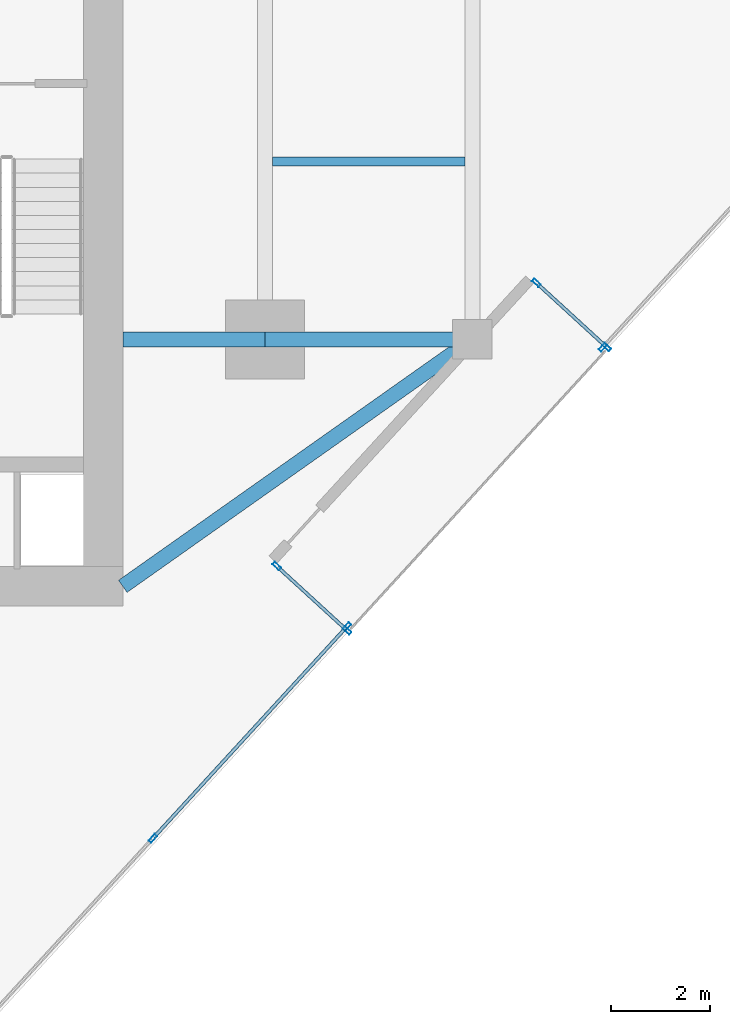
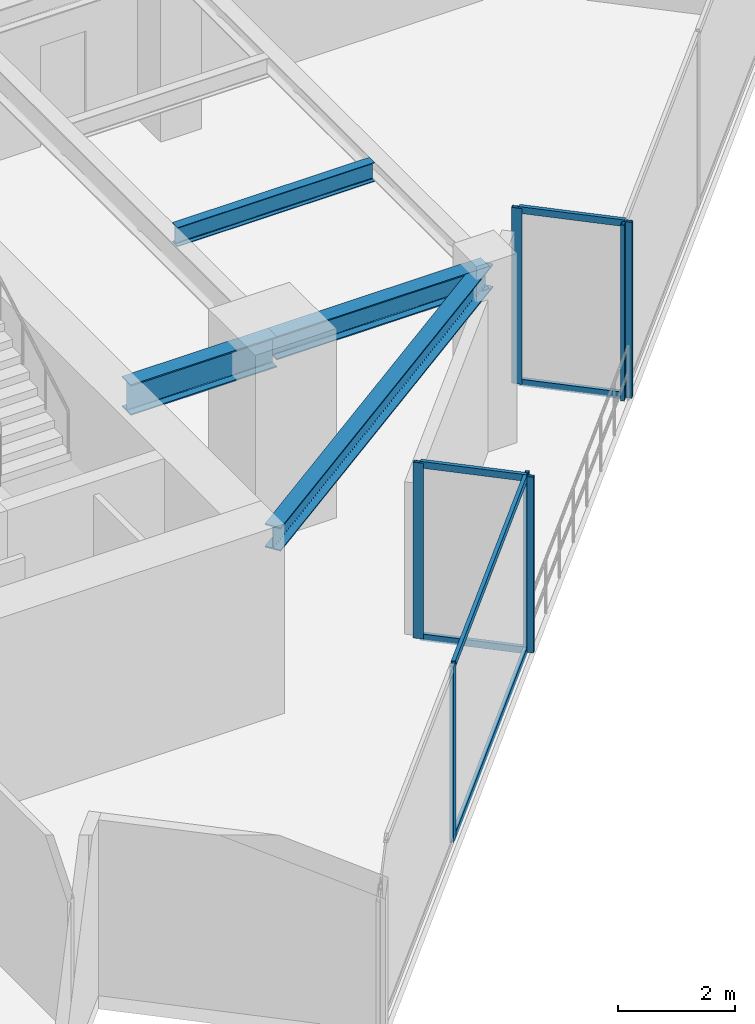
# One storey, part 10 of 26: 13 members, 4 beams, 4 elements without a shape of their own.
"""IFC4 building model written with IfcOpenShell, lengths in metres."""

from ifc_helpers import new_model, si_unit, direction, frame, origin, origin_2d, place, context, subcontext, project, spatial, hollow_rectangle, i_section, extrude, source, transform, mapped, material, material_profile, profile_set, type_object, type_shapes, element, aggregate, save


model = new_model("IFC4")

# Units and contexts
model_context = context("Model", 3, precision=1e-05, world=origin(), true_north=direction((0.0, 1.0)))
body_context = subcontext(model_context, "Body", "Model", "MODEL_VIEW")
ifc_project = project(units=[si_unit("LENGTHUNIT", "METRE"), si_unit("AREAUNIT", "SQUARE_METRE"), si_unit("VOLUMEUNIT", "CUBIC_METRE"), si_unit("PLANEANGLEUNIT", "RADIAN"), si_unit("MASSUNIT", "GRAM", prefix="KILO")], contexts=[model_context])

# Site, building, storey
site_placement = place(None, origin())
site = spatial("IfcSite", under=ifc_project, at=site_placement, CompositionType="ELEMENT")
building_placement = place(site_placement, origin())
building = spatial("IfcBuilding", under=site, at=building_placement, Name="Krantzveldt Concourse Tower", CompositionType="ELEMENT")
storey_placement = place(building_placement, frame((0.0, 0.0, 219.14990234375)))
storey = spatial("IfcBuildingStorey", under=building, at=storey_placement, Name="L53", CompositionType="ELEMENT", Elevation=219.14990234375)

# Beams
ifc_material_1 = material(Name="Steel S355JR", Category="steel")
ifc_material_profile_1 = material_profile(ifc_material_1, i_section(OverallWidth=0.300048828125, OverallDepth=0.639892578125, WebThickness=0.013427734375, FlangeThickness=0.02587890625, FilletRadius=0.027099609375, at=origin_2d()), Name="Steel S355JR", Category="steel")
ifc_profile_set_1 = profile_set([ifc_material_profile_1], Name="Steel S355JR - HEA 650")
beam_type_1 = type_object("IfcBeamType", Name="BM-B-HEA650", PredefinedType="BEAM", material=ifc_profile_set_1)
shared_shape_1 = source(origin(), body_context, "Body", "SweptSolid", [
    extrude(i_section(OverallWidth=0.300048828125, OverallDepth=0.639892578125, WebThickness=0.013427734375, FlangeThickness=0.02587890625, FilletRadius=0.027099609375, at=origin_2d()), origin(), (0.0, 0.0, 1.0), 2.880126953125),
])
type_shapes(beam_type_1, [shared_shape_1])
beam_1_placement = place(storey_placement, frame((43.919921875, 15.89990234375, 3.35009765625), z_axis=(1.0, 0.0, 0.0), x_axis=(0.0, 1.0, 0.0)))
element("IfcBeam", 1, at=beam_1_placement, inside=storey, type_object=beam_type_1, Name="L53 Tower Girder BG-CE1", PredefinedType="BEAM", context=body_context, shape_type="MappedRepresentation", body=[
    mapped(shared_shape_1, transform((0.0, 0.0, 0.0), x_axis=(1.0, 0.0, 0.0), y_axis=(0.0, 1.0, 0.0), z_axis=(0.0, 0.0, 1.0), scale=1.0)),
])
ifc_material_profile_2 = material_profile(ifc_material_1, i_section(OverallWidth=0.300048828125, OverallDepth=0.489990234375, WebThickness=0.011962890625, FlangeThickness=0.02294921875, FilletRadius=0.027099609375, at=origin_2d()), Name="Steel S355JR", Category="steel")
ifc_profile_set_2 = profile_set([ifc_material_profile_2], Name="Steel S355JR - HEA 500")
beam_type_2 = type_object("IfcBeamType", Name="BM-B-HEA500", PredefinedType="BEAM", material=ifc_profile_set_2)
shared_shape_2 = source(origin(), body_context, "Body", "SweptSolid", [
    extrude(i_section(OverallWidth=0.300048828125, OverallDepth=0.489990234375, WebThickness=0.011962890625, FlangeThickness=0.02294921875, FilletRadius=0.027099609375, at=origin_2d()), origin(), (0.0, 0.0, 1.0), 4.199951171875),
])
beam_2_placement = place(storey_placement, frame((46.800048828125, 15.89990234375, 3.425048828125), z_axis=(1.0, 0.0, 0.0), x_axis=(0.0, 1.0, 0.0)))
element("IfcBeam", 2, at=beam_2_placement, inside=storey, type_object=beam_type_2, Name="L53 Tower Girder BR-RR1", PredefinedType="BEAM", context=body_context, shape_type="MappedRepresentation", body=[
    mapped(shared_shape_2, transform((0.0, 0.0, 0.0), x_axis=(1.0, 0.0, 0.0), y_axis=(0.0, 1.0, 0.0), z_axis=(0.0, 0.0, 1.0), scale=1.0)),
])
shared_shape_3 = source(origin(), body_context, "Body", "SweptSolid", [
    extrude(i_section(OverallWidth=0.300048828125, OverallDepth=0.489990234375, WebThickness=0.011962890625, FlangeThickness=0.02294921875, FilletRadius=0.027099609375, at=origin_2d()), origin(), (0.0, 0.0, 1.0), 8.667724609375),
])
type_shapes(beam_type_2, [shared_shape_2, shared_shape_3])
beam_3_placement = place(storey_placement, frame((51.0, 15.89990234375, 3.425048828125), z_axis=(-0.81684294656, -0.576860122261, 0.0), x_axis=(0.576860122261, -0.81684294656, 0.0)))
element("IfcBeam", 3, at=beam_3_placement, inside=storey, type_object=beam_type_2, Name="L53 Tower Girder BR-CSE", PredefinedType="BEAM", context=body_context, shape_type="MappedRepresentation", body=[
    mapped(shared_shape_3, transform((0.0, 0.0, 0.0), x_axis=(1.0, 0.0, 0.0), y_axis=(0.0, 1.0, 0.0), z_axis=(0.0, 0.0, 1.0), scale=1.0)),
])
ifc_material_profile_3 = material_profile(ifc_material_1, i_section(OverallWidth=0.179931640625, OverallDepth=0.39990234375, WebThickness=0.008544921875, FlangeThickness=0.013427734375, FilletRadius=0.02099609375, at=origin_2d()), Name="Steel S355JR", Category="steel")
ifc_profile_set_3 = profile_set([ifc_material_profile_3], Name="Steel S355JR - IPE 400")
beam_type_3 = type_object("IfcBeamType", Name="BM-J-IPE400", PredefinedType="JOIST", material=ifc_profile_set_3)
shared_shape_4 = source(origin(), body_context, "Body", "SweptSolid", [
    extrude(i_section(OverallWidth=0.179931640625, OverallDepth=0.39990234375, WebThickness=0.008544921875, FlangeThickness=0.013427734375, FilletRadius=0.02099609375, at=origin_2d()), origin(), (0.0, 0.0, 1.0), 3.900146484375),
])
type_shapes(beam_type_3, [shared_shape_4])
beam_4_placement = place(storey_placement, frame((46.949951171875, 19.5, 3.47021484375), z_axis=(1.0, 0.0, 0.0), x_axis=(0.0, 1.0, 0.0)))
element("IfcBeam", 4, at=beam_4_placement, inside=storey, type_object=beam_type_3, Name="L53 Secondary Floor Joist JE-1", PredefinedType="JOIST", context=body_context, shape_type="MappedRepresentation", body=[
    mapped(shared_shape_4, transform((0.0, 0.0, 0.0), x_axis=(1.0, 0.0, 0.0), y_axis=(0.0, 1.0, 0.0), z_axis=(0.0, 0.0, 1.0), scale=1.0)),
])

# Curtain wall, members
ifc_material_2 = material(Name="Anodised aluminium 6063-T6", Category="aluminium")
curtain_wall_type_1 = type_object("IfcCurtainWallType", Name="CW3", PredefinedType="USERDEFINED", material=ifc_material_2)
curtain_wall_1_placement = place(storey_placement, origin())
curtain_wall_1 = element("IfcCurtainWall", 5, at=curtain_wall_1_placement, inside=storey, type_object=curtain_wall_type_1, Name="CW-L53-F07", ObjectType="UNITISED CURTAIN WALL", PredefinedType="USERDEFINED")
ifc_material_profile_4 = material_profile(ifc_material_2, hollow_rectangle(XDim=0.070068359375, YDim=0.179931640625, WallThickness=0.0048828125, at=origin_2d()), Name="Anodised aluminium 6063-T6", Category="aluminium")
ifc_profile_set_4 = profile_set([ifc_material_profile_4], Name="Anodised aluminium 6063-T6 - ALU-MULL 180x70x5")
member_type_1 = type_object("IfcMemberType", Name="CW-MUL-180", PredefinedType="MULLION", material=ifc_profile_set_4)
shared_shape_5 = source(origin(), body_context, "Body", "SweptSolid", [
    extrude(hollow_rectangle(XDim=0.070068359375, YDim=0.179931640625, WallThickness=0.0048828125, at=origin_2d()), origin(), (0.0, 0.0, 1.0), 3.670166015625),
])
type_shapes(member_type_1, [shared_shape_5])
member_1_placement = place(storey_placement, frame((44.5283203125, 5.79638671875, 0.0), z_axis=(0.0, 0.0, 1.0), x_axis=(-0.737277769208, 0.675589735736, 0.0)))
member_1 = element("IfcMember", 6, at=member_1_placement, type_object=member_type_1, Name="CW-Z34 mullion 2", PredefinedType="MULLION", context=body_context, shape_type="MappedRepresentation", body=[
    mapped(shared_shape_5, transform((0.0, 0.0, 0.0), x_axis=(1.0, 0.0, 0.0), y_axis=(0.0, 1.0, 0.0), z_axis=(0.0, 0.0, 1.0), scale=1.0)),
])
member_2_placement = place(storey_placement, frame((48.45703125, 10.083740234375, 0.0), z_axis=(0.0, 0.0, 1.0), x_axis=(-0.737277769208, 0.675589735736, 0.0)))
member_2 = element("IfcMember", 7, at=member_2_placement, type_object=member_type_1, Name="CW-Z34 mullion 3", PredefinedType="MULLION", context=body_context, shape_type="MappedRepresentation", body=[
    mapped(shared_shape_5, transform((0.0, 0.0, 0.0), x_axis=(1.0, 0.0, 0.0), y_axis=(0.0, 1.0, 0.0), z_axis=(0.0, 0.0, 1.0), scale=1.0)),
])

curtain_wall_type_2 = type_object("IfcCurtainWallType", Name="CW6", PredefinedType="USERDEFINED", material=ifc_material_2)
curtain_wall_2_placement = place(storey_placement, origin())
curtain_wall_2 = element("IfcCurtainWall", 8, at=curtain_wall_2_placement, inside=storey, type_object=curtain_wall_type_2, Name="CW-L53-TR08", ObjectType="UNITISED CURTAIN WALL", PredefinedType="USERDEFINED")
member_3_placement = place(storey_placement, frame((48.46044921875, 10.006103515625, 0.0), z_axis=(0.0, 0.0, 1.0), x_axis=(-0.675591258718, -0.737276373651, 0.0)))
member_3 = element("IfcMember", 9, at=member_3_placement, type_object=member_type_1, Name="CW-TERR mullion 1", PredefinedType="MULLION", context=body_context, shape_type="MappedRepresentation", body=[
    mapped(shared_shape_5, transform((0.0, 0.0, 0.0), x_axis=(1.0, 0.0, 0.0), y_axis=(0.0, 1.0, 0.0), z_axis=(0.0, 0.0, 1.0), scale=1.0)),
])
member_4_placement = place(storey_placement, frame((47.037353515625, 11.309814453125, 0.0), z_axis=(0.0, 0.0, 1.0), x_axis=(-0.675591258718, -0.737276373651, 0.0)))
member_4 = element("IfcMember", 10, at=member_4_placement, type_object=member_type_1, Name="CW-TERR mullion 2", PredefinedType="MULLION", context=body_context, shape_type="MappedRepresentation", body=[
    mapped(shared_shape_5, transform((0.0, 0.0, 0.0), x_axis=(1.0, 0.0, 0.0), y_axis=(0.0, 1.0, 0.0), z_axis=(0.0, 0.0, 1.0), scale=1.0)),
])

curtain_wall_3_placement = place(storey_placement, origin())
curtain_wall_3 = element("IfcCurtainWall", 11, at=curtain_wall_3_placement, inside=storey, type_object=curtain_wall_type_2, Name="CW-L53-TR10", ObjectType="UNITISED CURTAIN WALL", PredefinedType="USERDEFINED")
member_5_placement = place(storey_placement, frame((52.29345703125, 17.0458984375, 0.0), z_axis=(0.0, 0.0, 1.0), x_axis=(0.675591486119, 0.737276165275, 0.0)))
member_5 = element("IfcMember", 12, at=member_5_placement, type_object=member_type_1, Name="CW-TERR mullion 1", PredefinedType="MULLION", context=body_context, shape_type="MappedRepresentation", body=[
    mapped(shared_shape_5, transform((0.0, 0.0, 0.0), x_axis=(1.0, 0.0, 0.0), y_axis=(0.0, 1.0, 0.0), z_axis=(0.0, 0.0, 1.0), scale=1.0)),
])
member_6_placement = place(storey_placement, frame((53.71630859375, 15.741943359375, 0.0), z_axis=(0.0, 0.0, 1.0), x_axis=(0.675591486119, 0.737276165275, 0.0)))
member_6 = element("IfcMember", 13, at=member_6_placement, type_object=member_type_1, Name="CW-TERR mullion 2", PredefinedType="MULLION", context=body_context, shape_type="MappedRepresentation", body=[
    mapped(shared_shape_5, transform((0.0, 0.0, 0.0), x_axis=(1.0, 0.0, 0.0), y_axis=(0.0, 1.0, 0.0), z_axis=(0.0, 0.0, 1.0), scale=1.0)),
])

# Curtain wall, member
curtain_wall_4_placement = place(storey_placement, origin())
curtain_wall_4 = element("IfcCurtainWall", 14, at=curtain_wall_4_placement, inside=storey, type_object=curtain_wall_type_1, Name="CW-L53-F11", ObjectType="UNITISED CURTAIN WALL", PredefinedType="USERDEFINED")
member_7_placement = place(storey_placement, frame((53.638671875, 15.73876953125, 0.0), z_axis=(0.0, 0.0, 1.0), x_axis=(-0.737277769208, 0.675589735736, 0.0)))
member_7 = element("IfcMember", 15, at=member_7_placement, type_object=member_type_1, Name="CW-Z34 mullion 1", PredefinedType="MULLION", context=body_context, shape_type="MappedRepresentation", body=[
    mapped(shared_shape_5, transform((0.0, 0.0, 0.0), x_axis=(1.0, 0.0, 0.0), y_axis=(0.0, 1.0, 0.0), z_axis=(0.0, 0.0, 1.0), scale=1.0)),
])
aggregate(curtain_wall_4, [member_7])

# Member
ifc_material_profile_5 = material_profile(ifc_material_2, hollow_rectangle(XDim=0.070068359375, YDim=0.139892578125, WallThickness=0.0048828125, at=origin_2d()), Name="Anodised aluminium 6063-T6", Category="aluminium")
ifc_profile_set_5 = profile_set([ifc_material_profile_5], Name="Anodised aluminium 6063-T6 - ALU-TRAN 140x70x5")
member_type_2 = type_object("IfcMemberType", Name="CW-TRN-150", PredefinedType="USERDEFINED", material=ifc_profile_set_5)
shared_shape_6 = source(origin(), body_context, "Body", "SweptSolid", [
    extrude(hollow_rectangle(XDim=0.070068359375, YDim=0.139892578125, WallThickness=0.0048828125, at=origin_2d()), origin(), (0.0, 0.0, 1.0), 1.860107421875),
])
member_8_placement = place(storey_placement, frame((48.4345703125, 10.02978515625, 0.03515625), z_axis=(-0.737279442319, 0.675587909848, 0.0), x_axis=(-0.675587909848, -0.737279442319, 0.0)))
member_8 = element("IfcMember", 16, at=member_8_placement, type_object=member_type_2, Name="CW-TERR transom 1.1", ObjectType="TRANSOM", PredefinedType="USERDEFINED", context=body_context, shape_type="MappedRepresentation", body=[
    mapped(shared_shape_6, transform((0.0, 0.0, 0.0), x_axis=(1.0, 0.0, 0.0), y_axis=(0.0, 1.0, 0.0), z_axis=(0.0, 0.0, 1.0), scale=1.0)),
])

member_9_placement = place(storey_placement, frame((48.4345703125, 10.02978515625, 3.635009765625), z_axis=(-0.737279442319, 0.675587909848, 0.0), x_axis=(-0.675587909848, -0.737279442319, 0.0)))
member_9 = element("IfcMember", 17, at=member_9_placement, type_object=member_type_2, Name="CW-TERR transom 1.2", ObjectType="TRANSOM", PredefinedType="USERDEFINED", context=body_context, shape_type="MappedRepresentation", body=[
    mapped(shared_shape_6, transform((0.0, 0.0, 0.0), x_axis=(1.0, 0.0, 0.0), y_axis=(0.0, 1.0, 0.0), z_axis=(0.0, 0.0, 1.0), scale=1.0)),
])

aggregate(curtain_wall_2, [member_3, member_4, member_8, member_9])

member_10_placement = place(storey_placement, frame((52.3193359375, 17.022216796875, 0.03515625), z_axis=(0.737279442319, -0.675587909848, 0.0), x_axis=(0.675587909848, 0.737279442319, 0.0)))
member_10 = element("IfcMember", 18, at=member_10_placement, type_object=member_type_2, Name="CW-TERR transom 1.1", ObjectType="TRANSOM", PredefinedType="USERDEFINED", context=body_context, shape_type="MappedRepresentation", body=[
    mapped(shared_shape_6, transform((0.0, 0.0, 0.0), x_axis=(1.0, 0.0, 0.0), y_axis=(0.0, 1.0, 0.0), z_axis=(0.0, 0.0, 1.0), scale=1.0)),
])

member_11_placement = place(storey_placement, frame((52.3193359375, 17.022216796875, 3.635009765625), z_axis=(0.737279442319, -0.675587909848, 0.0), x_axis=(0.675587909848, 0.737279442319, 0.0)))
member_11 = element("IfcMember", 19, at=member_11_placement, type_object=member_type_2, Name="CW-TERR transom 1.2", ObjectType="TRANSOM", PredefinedType="USERDEFINED", context=body_context, shape_type="MappedRepresentation", body=[
    mapped(shared_shape_6, transform((0.0, 0.0, 0.0), x_axis=(1.0, 0.0, 0.0), y_axis=(0.0, 1.0, 0.0), z_axis=(0.0, 0.0, 1.0), scale=1.0)),
])

aggregate(curtain_wall_3, [member_5, member_6, member_10, member_11])

shared_shape_7 = source(origin(), body_context, "Body", "SweptSolid", [
    extrude(hollow_rectangle(XDim=0.070068359375, YDim=0.139892578125, WallThickness=0.0048828125, at=origin_2d()), origin(), (0.0, 0.0, 1.0), 5.7451171875),
])
type_shapes(member_type_2, [shared_shape_6, shared_shape_7])
member_12_placement = place(storey_placement, frame((44.552001953125, 5.822265625, 0.03515625), z_axis=(0.675603385152, 0.737265261606, 0.0), x_axis=(-0.737265261606, 0.675603385152, 0.0)))
member_12 = element("IfcMember", 20, at=member_12_placement, type_object=member_type_2, Name="CW-Z34 transom 2.1", ObjectType="TRANSOM", PredefinedType="USERDEFINED", context=body_context, shape_type="MappedRepresentation", body=[
    mapped(shared_shape_7, transform((0.0, 0.0, 0.0), x_axis=(1.0, 0.0, 0.0), y_axis=(0.0, 1.0, 0.0), z_axis=(0.0, 0.0, 1.0), scale=1.0)),
])

member_13_placement = place(storey_placement, frame((44.552001953125, 5.822265625, 3.635009765625), z_axis=(0.675603385152, 0.737265261606, 0.0), x_axis=(-0.737265261606, 0.675603385152, 0.0)))
member_13 = element("IfcMember", 21, at=member_13_placement, type_object=member_type_2, Name="CW-Z34 transom 2.2", ObjectType="TRANSOM", PredefinedType="USERDEFINED", context=body_context, shape_type="MappedRepresentation", body=[
    mapped(shared_shape_7, transform((0.0, 0.0, 0.0), x_axis=(1.0, 0.0, 0.0), y_axis=(0.0, 1.0, 0.0), z_axis=(0.0, 0.0, 1.0), scale=1.0)),
])

aggregate(curtain_wall_1, [member_1, member_2, member_12, member_13])

save(model, "model.ifc")
